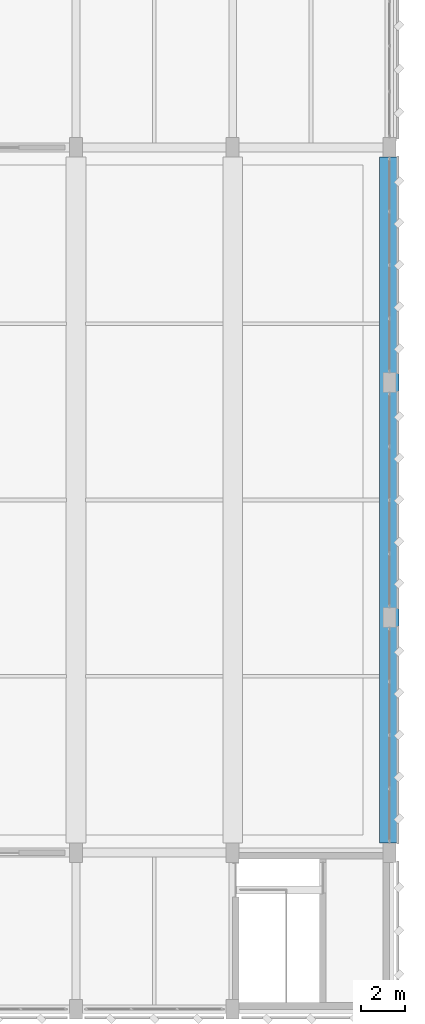
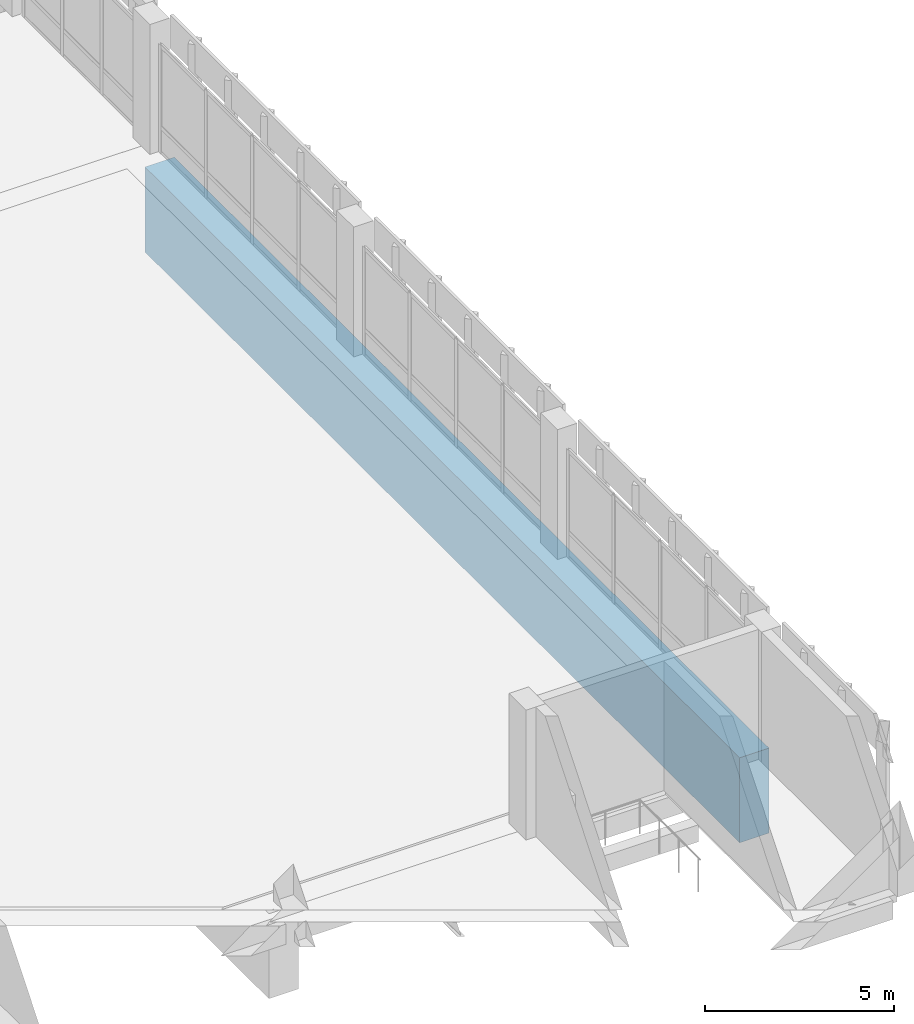
# One storey, part 83 of 158: 1 beam.
"""IFC4 building model written with IfcOpenShell, lengths in metres."""

from ifc_helpers import new_model, si_unit, direction, frame, origin, origin_2d, place, context, subcontext, project, spatial, rectangle, extrude, material, material_profile, profile_set, type_object, element, save


model = new_model("IFC4")

# Units and contexts
model_context = context("Model", 3, precision=1e-05, world=origin(), true_north=direction((0.0, 1.0)))
body_context = subcontext(model_context, "Body", "Model", "MODEL_VIEW")
ifc_project = project(units=[si_unit("LENGTHUNIT", "METRE"), si_unit("AREAUNIT", "SQUARE_METRE"), si_unit("VOLUMEUNIT", "CUBIC_METRE"), si_unit("PLANEANGLEUNIT", "RADIAN"), si_unit("MASSUNIT", "GRAM", prefix="KILO")], contexts=[model_context])

# Site, building, storey
site_placement = place(None, origin())
site = spatial("IfcSite", under=ifc_project, at=site_placement, CompositionType="ELEMENT")
building_placement = place(site_placement, origin())
building = spatial("IfcBuilding", under=site, at=building_placement, Name="Lusvemor Sports Hall", CompositionType="ELEMENT")
storey_placement = place(building_placement, frame((0.0, 0.0, 10.800048828125)))
storey = spatial("IfcBuildingStorey", under=building, at=storey_placement, Name="L02", CompositionType="ELEMENT", Elevation=10.800048828125)

# Beam
ifc_material = material(Name="Post-tensioned concrete C50/60", Category="concrete")
ifc_material_profile = material_profile(ifc_material, rectangle(XDim=0.89990234375, YDim=2.75, at=origin_2d()), Name="PT900x2750")
ifc_profile_set = profile_set([ifc_material_profile], Name="Post-tensioned concrete C50/60")
beam_type = type_object("IfcBeamType", Name="PTG_COURT_2750", PredefinedType="T_BEAM", material=ifc_profile_set)
beam_placement = place(storey_placement, frame((169.199951171875, 7.64501953125, -1.72509765625), z_axis=(0.0, 1.0, 0.0), x_axis=(-1.0, 0.0, 0.0)))
element("IfcBeam", 1, at=beam_placement, inside=storey, type_object=beam_type, Name="Post-Tensioned Transfer Girder 20 (L02)", PredefinedType="T_BEAM", context=body_context, shape_type="SweptSolid", body=[
    extrude(rectangle(XDim=0.89990234375, YDim=2.75, at=origin_2d()), origin(), (0.0, 0.0, 1.0), 31.510009765625),
])

save(model, "model.ifc")
